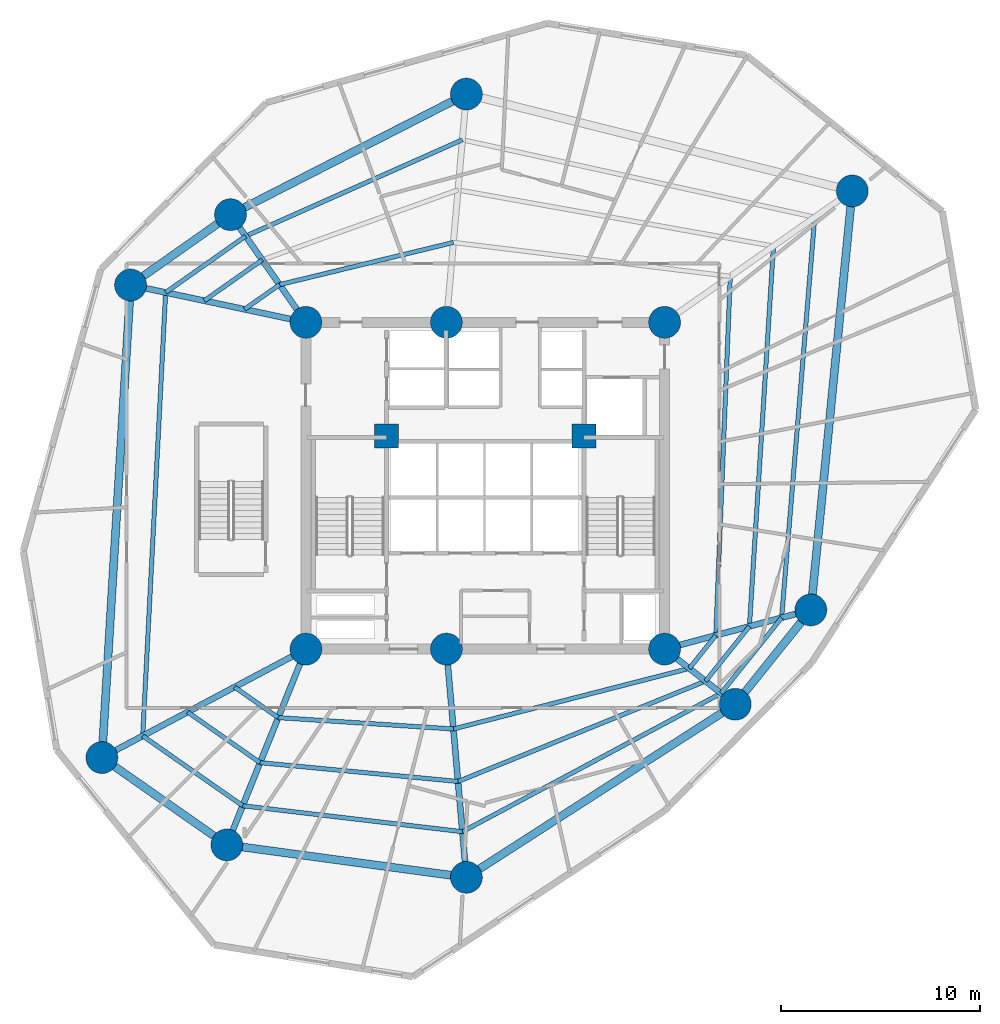
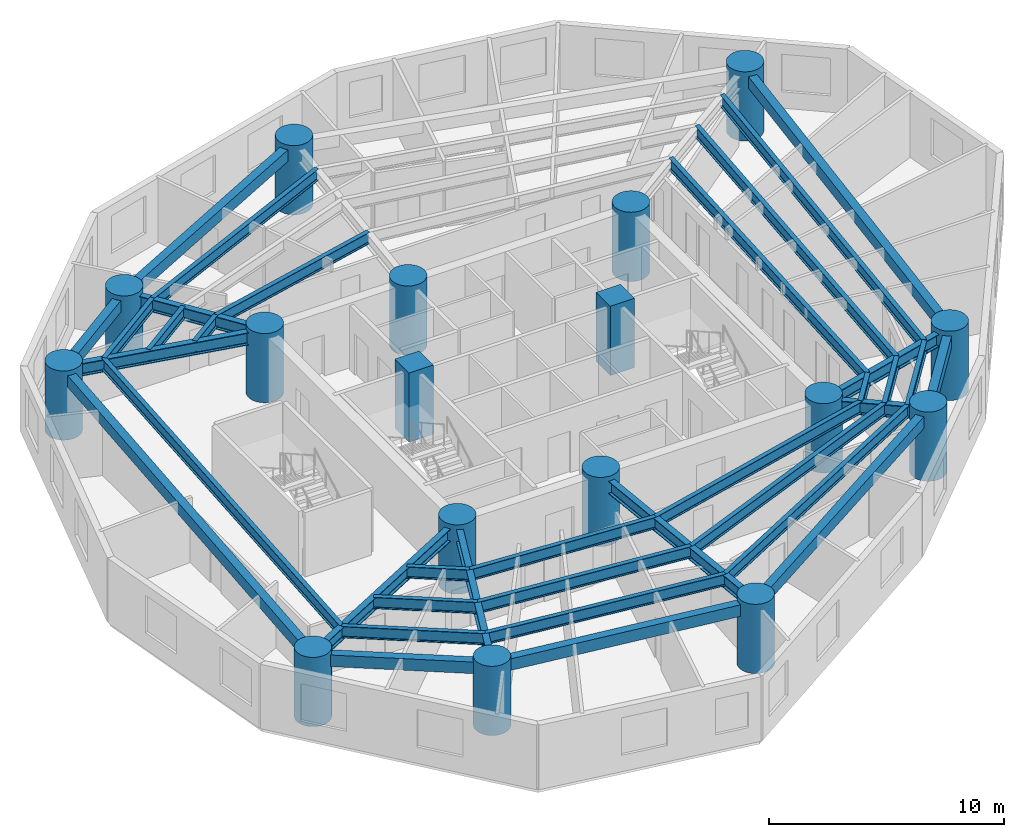
# One storey, part 1 of 8: 36 beams, 17 columns.
"""IFC4 building model written with IfcOpenShell, lengths in metres."""

from ifc_helpers import new_model, si_unit, direction, frame, origin, origin_with_axes, origin_2d, place, context, subcontext, project, spatial, rectangle, circle, i_section, extrude, source, transform, mapped, material, material_profile, profile_set, type_object, element, save


model = new_model("IFC4")

# Units and contexts
model_context = context("Model", 3, precision=1e-05, world=origin(), true_north=direction((0.0, 1.0)))
body_context = subcontext(model_context, "Body", "Model", "MODEL_VIEW")
ifc_project = project(units=[si_unit("LENGTHUNIT", "METRE"), si_unit("AREAUNIT", "SQUARE_METRE"), si_unit("VOLUMEUNIT", "CUBIC_METRE"), si_unit("PLANEANGLEUNIT", "RADIAN"), si_unit("MASSUNIT", "GRAM", prefix="KILO")], contexts=[model_context])

# Site, building, storey
site_placement = place(None, origin())
site = spatial("IfcSite", under=ifc_project, at=site_placement, CompositionType="ELEMENT")
building_placement = place(site_placement, origin())
building = spatial("IfcBuilding", under=site, at=building_placement, Name="Karkom Vertical University and Central Library", CompositionType="ELEMENT")
storey_placement = place(building_placement, frame((0.0, 0.0, 73.300048828125)))
storey = spatial("IfcBuildingStorey", under=building, at=storey_placement, Name="L19", CompositionType="ELEMENT", Elevation=73.300048828125)

# Columns
ifc_material_1 = material(Name="Concrete C50/60", Category="concrete")
ifc_material_profile_1 = material_profile(ifc_material_1, circle(Radius=0.800048828125, at=origin_2d()), Name="CFT-D1600")
ifc_profile_set_1 = profile_set([ifc_material_profile_1], Name="Concrete C50/60")
column_type_1 = type_object("IfcColumnType", Name="STR-COL-C-SC2", PredefinedType="COLUMN", material=ifc_profile_set_1)
shared_shape_1 = source(origin_with_axes(), body_context, "Body", "SweptSolid", [
    extrude(circle(Radius=0.800048828125, at=origin_2d()), origin(), (0.0, 0.0, 1.0), 3.599853515625),
])
for number, where, z_axis, x_axis, name in (
    (1, (19.5, 18.300048828125, 0.0), (0.0, 0.0, 1.0), (1.0, 0.0, 0.0), "Level 19 Spine Mega-Column SC-1"),
    (2, (26.550048828125, 18.300048828125, 0.0), (0.0, 0.0, 1.0), (1.0, 0.0, 0.0), "Level 19 Spine Mega-Column SC-2"),
    (3, (37.5, 18.300048828125, 0.0), (0.0, 0.0, 1.0), (1.0, 0.0, 0.0), "Level 19 Spine Mega-Column SC-3"),
    (4, (19.5, 34.699951171875, 0.0), (0.0, 0.0, 1.0), (1.0, 0.0, 0.0), "Level 19 Spine Mega-Column SC-4"),
    (5, (26.550048828125, 34.699951171875, 0.0), (0.0, 0.0, 1.0), (1.0, 0.0, 0.0), "Level 19 Spine Mega-Column SC-5"),
    (6, (37.5, 34.699951171875, 0.0), (0.0, 0.0, 1.0), (1.0, 0.0, 0.0), "Level 19 Spine Mega-Column SC-6"),
    (7, (44.841064453125, 20.26708984375, 0.0), (0.0, 0.0, 1.0), (1.0, 0.0, 0.0), "Level 19 Perimeter Mega-Column Z1-PC1"),
    (8, (46.919921875, 41.2958984375, 0.0), (0.0, 0.0, 1.0), (1.0, 0.0, 0.0), "Level 19 Perimeter Mega-Column Z1-PC2"),
    (9, (27.552001953125, 46.156005859375, 0.0), (0.0, 0.0, 1.0), (1.0, 0.0, 0.0), "Level 19 Perimeter Mega-Column Z1-PC3"),
    (10, (15.714111328125, 40.10595703125, 0.0), (0.0, 0.0, 1.0), (1.0, 0.0, 0.0), "Level 19 Perimeter Mega-Column Z1-PC4"),
    (11, (10.697021484375, 36.571044921875, 0.0), (0.0, 0.0, 1.0), (1.0, 0.0, 0.0), "Level 19 Perimeter Mega-Column Z1-PC5"),
    (12, (9.258056640625, 12.85400390625, 0.0), (0.0, 0.0, 1.0), (1.0, 0.0, 0.0), "Level 19 Perimeter Mega-Column Z1-PC6"),
    (13, (15.529052734375, 8.471923828125, 0.0), (0.0, 0.0, 1.0), (1.0, 0.0, 0.0), "Level 19 Perimeter Mega-Column Z1-PC7"),
    (14, (27.552001953125, 6.843994140625, 0.0), (0.0, 0.0, 1.0), (1.0, 0.0, 0.0), "Level 19 Perimeter Mega-Column Z1-PC8"),
    (15, (41.0458984375, 15.530029296875, 0.0), (0.0, 0.0, 1.0), (1.0, 0.0, 0.0), "Level 19 Perimeter Mega-Column Z1-PC9"),
):
    element("IfcColumn", number, at=place(storey_placement, frame(where, z_axis=z_axis, x_axis=x_axis)), inside=storey, type_object=column_type_1, Name=name, PredefinedType="COLUMN", context=body_context, shape_type="MappedRepresentation", body=[
        mapped(shared_shape_1, transform((0.0, 0.0, 0.0), scale=1.0)),
    ])
ifc_material_profile_2 = material_profile(ifc_material_1, rectangle(XDim=1.199951171875, YDim=1.199951171875, at=origin_2d()), Name="RC-1200x1200")
ifc_profile_set_2 = profile_set([ifc_material_profile_2], Name="Concrete C50/60")
column_type_2 = type_object("IfcColumnType", Name="STR-COL-C-CC1", PredefinedType="COLUMN", material=ifc_profile_set_2)
shared_shape_2 = source(origin_with_axes(), body_context, "Body", "SweptSolid", [
    extrude(rectangle(XDim=1.199951171875, YDim=1.199951171875, at=origin_2d()), origin(), (0.0, 0.0, 1.0), 3.599853515625),
])
for number, where, z_axis, x_axis, name in (
    (16, (23.550048828125, 29.0, 0.0), (0.0, 0.0, 1.0), (1.0, 0.0, 0.0), "Level 19 Core Node Column CC-1"),
    (17, (33.449951171875, 29.0, 0.0), (0.0, 0.0, 1.0), (1.0, 0.0, 0.0), "Level 19 Core Node Column CC-2"),
):
    element("IfcColumn", number, at=place(storey_placement, frame(where, z_axis=z_axis, x_axis=x_axis)), inside=storey, type_object=column_type_2, Name=name, PredefinedType="COLUMN", context=body_context, shape_type="MappedRepresentation", body=[
        mapped(shared_shape_2, transform((0.0, 0.0, 0.0), scale=1.0)),
    ])

# Beams
ifc_material_2 = material(Name="Steel S355", Category="steel")
ifc_material_profile_3 = material_profile(ifc_material_2, i_section(OverallWidth=0.300048828125, OverallDepth=0.64990234375, WebThickness=0.01611328125, FlangeThickness=0.031005859375, FilletRadius=0.027099609375, at=origin_2d()), Name="HE 650 B")
ifc_profile_set_3 = profile_set([ifc_material_profile_3], Name="Steel S355")
beam_type_1 = type_object("IfcBeamType", Name="STR-BM-SB-HE650", PredefinedType="USERDEFINED", material=ifc_profile_set_3)
shared_shape_3 = source(origin_with_axes(), body_context, "Body", "SweptSolid", [
    extrude(i_section(OverallWidth=0.300048828125, OverallDepth=0.64990234375, WebThickness=0.01611328125, FlangeThickness=0.031005859375, FilletRadius=0.027099609375, at=origin_2d()), origin(), (0.0, 0.0, 1.0), 7.60009765625),
])
beam_1_placement = place(storey_placement, frame((37.5, 18.300048828125, 3.02490234375), z_axis=(0.965925539322, 0.258820116077, 0.0), x_axis=(-0.258820116077, 0.965925539322, 0.0)))
element("IfcBeam", 18, at=beam_1_placement, inside=storey, type_object=beam_type_1, Name="Level 19 Radial Frame Girder 01", ObjectType="GIRDER", PredefinedType="USERDEFINED", context=body_context, shape_type="MappedRepresentation", body=[
    mapped(shared_shape_3, transform((0.0, 0.0, 0.0), scale=1.0)),
])
shared_shape_4 = source(origin_with_axes(), body_context, "Body", "SweptSolid", [
    extrude(i_section(OverallWidth=0.300048828125, OverallDepth=0.64990234375, WebThickness=0.01611328125, FlangeThickness=0.031005859375, FilletRadius=0.027099609375, at=origin_2d()), origin(), (0.0, 0.0, 1.0), 11.499755859375),
])
beam_2_placement = place(storey_placement, frame((26.550048828125, 18.300048828125, 3.02490234375), z_axis=(0.087127973109, -0.99619712723, 0.0), x_axis=(0.99619712723, 0.087127973109, 0.0)))
element("IfcBeam", 19, at=beam_2_placement, inside=storey, type_object=beam_type_1, Name="Level 19 Radial Frame Girder 08", ObjectType="GIRDER", PredefinedType="USERDEFINED", context=body_context, shape_type="MappedRepresentation", body=[
    mapped(shared_shape_4, transform((0.0, 0.0, 0.0), scale=1.0)),
])
shared_shape_5 = source(origin_with_axes(), body_context, "Body", "SweptSolid", [
    extrude(i_section(OverallWidth=0.300048828125, OverallDepth=0.64990234375, WebThickness=0.01611328125, FlangeThickness=0.031005859375, FilletRadius=0.027099609375, at=origin_2d()), origin(), (0.0, 0.0, 1.0), 6.599853515625),
])
beam_3_placement = place(storey_placement, frame((19.5, 34.699951171875, 3.02490234375), z_axis=(-0.573633636671, 0.819111989218, 0.0), x_axis=(-0.819111989218, -0.573633636671, 0.0)))
element("IfcBeam", 20, at=beam_3_placement, inside=storey, type_object=beam_type_1, Name="Level 19 Radial Frame Girder 04", ObjectType="GIRDER", PredefinedType="USERDEFINED", context=body_context, shape_type="MappedRepresentation", body=[
    mapped(shared_shape_5, transform((0.0, 0.0, 0.0), scale=1.0)),
])
shared_shape_6 = source(origin_with_axes(), body_context, "Body", "SweptSolid", [
    extrude(i_section(OverallWidth=0.300048828125, OverallDepth=0.64990234375, WebThickness=0.01611328125, FlangeThickness=0.031005859375, FilletRadius=0.027099609375, at=origin_2d()), origin(), (0.0, 0.0, 1.0), 8.999755859375),
])
beam_4_placement = place(storey_placement, frame((19.5, 34.699951171875, 3.02490234375), z_axis=(-0.978148438993, 0.207907747079, 0.0), x_axis=(-0.207907747079, -0.978148438993, 0.0)))
element("IfcBeam", 21, at=beam_4_placement, inside=storey, type_object=beam_type_1, Name="Level 19 Radial Frame Girder 05", ObjectType="GIRDER", PredefinedType="USERDEFINED", context=body_context, shape_type="MappedRepresentation", body=[
    mapped(shared_shape_6, transform((0.0, 0.0, 0.0), scale=1.0)),
])
shared_shape_7 = source(origin_with_axes(), body_context, "Body", "SweptSolid", [
    extrude(i_section(OverallWidth=0.300048828125, OverallDepth=0.64990234375, WebThickness=0.01611328125, FlangeThickness=0.031005859375, FilletRadius=0.027099609375, at=origin_2d()), origin(), (0.0, 0.0, 1.0), 11.599853515625),
])
beam_5_placement = place(storey_placement, frame((19.5, 18.300048828125, 3.02490234375), z_axis=(-0.882936620635, -0.469492197957, 0.0), x_axis=(0.469492197957, -0.882936620635, 0.0)))
element("IfcBeam", 22, at=beam_5_placement, inside=storey, type_object=beam_type_1, Name="Level 19 Radial Frame Girder 06", ObjectType="GIRDER", PredefinedType="USERDEFINED", context=body_context, shape_type="MappedRepresentation", body=[
    mapped(shared_shape_7, transform((0.0, 0.0, 0.0), scale=1.0)),
])
shared_shape_8 = source(origin_with_axes(), body_context, "Body", "SweptSolid", [
    extrude(i_section(OverallWidth=0.300048828125, OverallDepth=0.64990234375, WebThickness=0.01611328125, FlangeThickness=0.031005859375, FilletRadius=0.027099609375, at=origin_2d()), origin(), (0.0, 0.0, 1.0), 10.60009765625),
])
beam_6_placement = place(storey_placement, frame((19.5, 18.300048828125, 3.02490234375), z_axis=(-0.374616894394, -0.927179692635, 0.0), x_axis=(0.927179692635, -0.374616894394, 0.0)))
element("IfcBeam", 23, at=beam_6_placement, inside=storey, type_object=beam_type_1, Name="Level 19 Radial Frame Girder 07", ObjectType="GIRDER", PredefinedType="USERDEFINED", context=body_context, shape_type="MappedRepresentation", body=[
    mapped(shared_shape_8, transform((0.0, 0.0, 0.0), scale=1.0)),
])
shared_shape_9 = source(origin_with_axes(), body_context, "Body", "SweptSolid", [
    extrude(i_section(OverallWidth=0.300048828125, OverallDepth=0.64990234375, WebThickness=0.01611328125, FlangeThickness=0.031005859375, FilletRadius=0.027099609375, at=origin_2d()), origin(), (0.0, 0.0, 1.0), 4.49951171875),
])
beam_7_placement = place(storey_placement, frame((37.5, 18.300048828125, 3.02490234375), z_axis=(0.788047405801, -0.615614559778, 0.0), x_axis=(0.615614559778, 0.788047405801, 0.0)))
element("IfcBeam", 24, at=beam_7_placement, inside=storey, type_object=beam_type_1, Name="Level 19 Radial Frame Girder 09", ObjectType="GIRDER", PredefinedType="USERDEFINED", context=body_context, shape_type="MappedRepresentation", body=[
    mapped(shared_shape_9, transform((0.0, 0.0, 0.0), scale=1.0)),
])
ifc_material_3 = material(Name="Precast concrete C45/55", Category="concrete")
ifc_material_profile_4 = material_profile(ifc_material_3, rectangle(XDim=0.39990234375, YDim=0.60009765625, at=origin_2d()), Name="SPB-400x600")
ifc_profile_set_4 = profile_set([ifc_material_profile_4], Name="Precast concrete C45/55")
beam_type_2 = type_object("IfcBeamType", Name="STR-BM-SP-1", PredefinedType="SPANDREL", material=ifc_profile_set_4)
shared_shape_10 = source(origin_with_axes(), body_context, "Body", "SweptSolid", [
    extrude(rectangle(XDim=0.39990234375, YDim=0.60009765625, at=origin_2d()), origin(), (0.0, 0.0, 1.0), 21.13134765625),
])
beam_8_placement = place(storey_placement, frame((44.841064453125, 20.26708984375, 3.050048828125), z_axis=(0.0983780471, 0.995149114379, 0.0), x_axis=(-0.995149114379, 0.0983780471, 0.0)))
element("IfcBeam", 25, at=beam_8_placement, inside=storey, type_object=beam_type_2, Name="Level 19 Perimeter Spandrel Beam 01", PredefinedType="SPANDREL", context=body_context, shape_type="MappedRepresentation", body=[
    mapped(shared_shape_10, transform((0.0, 0.0, 0.0), scale=1.0)),
])
shared_shape_11 = source(origin_with_axes(), body_context, "Body", "SweptSolid", [
    extrude(rectangle(XDim=0.39990234375, YDim=0.60009765625, at=origin_2d()), origin(), (0.0, 0.0, 1.0), 13.29443359375),
])
beam_9_placement = place(storey_placement, frame((27.552001953125, 46.156005859375, 3.050048828125), z_axis=(-0.890447746793, -0.455085497716, 0.0), x_axis=(0.455085497716, -0.890447746793, 0.0)))
element("IfcBeam", 26, at=beam_9_placement, inside=storey, type_object=beam_type_2, Name="Level 19 Perimeter Spandrel Beam 03", PredefinedType="SPANDREL", context=body_context, shape_type="MappedRepresentation", body=[
    mapped(shared_shape_11, transform((0.0, 0.0, 0.0), scale=1.0)),
])
shared_shape_12 = source(origin_with_axes(), body_context, "Body", "SweptSolid", [
    extrude(rectangle(XDim=0.39990234375, YDim=0.60009765625, at=origin_2d()), origin(), (0.0, 0.0, 1.0), 6.13720703125),
])
beam_10_placement = place(storey_placement, frame((15.714111328125, 40.10595703125, 3.050048828125), z_axis=(-0.817471365538, -0.575969240955, 0.0), x_axis=(0.575969240955, -0.817471365538, 0.0)))
element("IfcBeam", 27, at=beam_10_placement, inside=storey, type_object=beam_type_2, Name="Level 19 Perimeter Spandrel Beam 04", PredefinedType="SPANDREL", context=body_context, shape_type="MappedRepresentation", body=[
    mapped(shared_shape_12, transform((0.0, 0.0, 0.0), scale=1.0)),
])
shared_shape_13 = source(origin_with_axes(), body_context, "Body", "SweptSolid", [
    extrude(rectangle(XDim=0.39990234375, YDim=0.60009765625, at=origin_2d()), origin(), (0.0, 0.0, 1.0), 23.7607421875),
])
beam_11_placement = place(storey_placement, frame((10.697021484375, 36.571044921875, 3.050048828125), z_axis=(-0.060560827767, -0.998164508556, 0.0), x_axis=(0.998164508556, -0.060560827767, 0.0)))
element("IfcBeam", 28, at=beam_11_placement, inside=storey, type_object=beam_type_2, Name="Level 19 Perimeter Spandrel Beam 05", PredefinedType="SPANDREL", context=body_context, shape_type="MappedRepresentation", body=[
    mapped(shared_shape_13, transform((0.0, 0.0, 0.0), scale=1.0)),
])
shared_shape_14 = source(origin_with_axes(), body_context, "Body", "SweptSolid", [
    extrude(rectangle(XDim=0.39990234375, YDim=0.60009765625, at=origin_2d()), origin(), (0.0, 0.0, 1.0), 7.650390625),
])
beam_12_placement = place(storey_placement, frame((9.258056640625, 12.85400390625, 3.050048828125), z_axis=(0.819699409527, -0.572793922822, 0.0), x_axis=(0.572793922822, 0.819699409527, 0.0)))
element("IfcBeam", 29, at=beam_12_placement, inside=storey, type_object=beam_type_2, Name="Level 19 Perimeter Spandrel Beam 06", PredefinedType="SPANDREL", context=body_context, shape_type="MappedRepresentation", body=[
    mapped(shared_shape_14, transform((0.0, 0.0, 0.0), scale=1.0)),
])
shared_shape_15 = source(origin_with_axes(), body_context, "Body", "SweptSolid", [
    extrude(rectangle(XDim=0.39990234375, YDim=0.60009765625, at=origin_2d()), origin(), (0.0, 0.0, 1.0), 12.132568359375),
])
beam_13_placement = place(storey_placement, frame((15.529052734375, 8.471923828125, 3.050048828125), z_axis=(0.990957319008, -0.134177464223, 0.0), x_axis=(0.134177464223, 0.990957319008, 0.0)))
element("IfcBeam", 30, at=beam_13_placement, inside=storey, type_object=beam_type_2, Name="Level 19 Perimeter Spandrel Beam 07", PredefinedType="SPANDREL", context=body_context, shape_type="MappedRepresentation", body=[
    mapped(shared_shape_15, transform((0.0, 0.0, 0.0), scale=1.0)),
])
shared_shape_16 = source(origin_with_axes(), body_context, "Body", "SweptSolid", [
    extrude(rectangle(XDim=0.39990234375, YDim=0.60009765625, at=origin_2d()), origin(), (0.0, 0.0, 1.0), 16.0478515625),
])
beam_14_placement = place(storey_placement, frame((27.552001953125, 6.843994140625, 3.050048828125), z_axis=(0.84085555045, 0.541259589548, 0.0), x_axis=(-0.541259589548, 0.84085555045, 0.0)))
element("IfcBeam", 31, at=beam_14_placement, inside=storey, type_object=beam_type_2, Name="Level 19 Perimeter Spandrel Beam 08", PredefinedType="SPANDREL", context=body_context, shape_type="MappedRepresentation", body=[
    mapped(shared_shape_16, transform((0.0, 0.0, 0.0), scale=1.0)),
])
shared_shape_17 = source(origin_with_axes(), body_context, "Body", "SweptSolid", [
    extrude(rectangle(XDim=0.39990234375, YDim=0.60009765625, at=origin_2d()), origin(), (0.0, 0.0, 1.0), 6.06982421875),
])
beam_15_placement = place(storey_placement, frame((41.0458984375, 15.530029296875, 3.050048828125), z_axis=(0.625249167344, 0.780425190992, 0.0), x_axis=(-0.780425190992, 0.625249167344, 0.0)))
element("IfcBeam", 32, at=beam_15_placement, inside=storey, type_object=beam_type_2, Name="Level 19 Perimeter Spandrel Beam 09", PredefinedType="SPANDREL", context=body_context, shape_type="MappedRepresentation", body=[
    mapped(shared_shape_17, transform((0.0, 0.0, 0.0), scale=1.0)),
])
ifc_material_profile_5 = material_profile(ifc_material_2, i_section(OverallWidth=0.219970703125, OverallDepth=0.60009765625, WebThickness=0.011962890625, FlangeThickness=0.01904296875, FilletRadius=0.02392578125, at=origin_2d()), Name="IPE 600")
ifc_profile_set_5 = profile_set([ifc_material_profile_5], Name="Steel S355")
beam_type_3 = type_object("IfcBeamType", Name="STR-BM-SB-IPE600", PredefinedType="BEAM", material=ifc_profile_set_5)
shared_shape_18 = source(origin_with_axes(), body_context, "Body", "SweptSolid", [
    extrude(i_section(OverallWidth=0.219970703125, OverallDepth=0.60009765625, WebThickness=0.011962890625, FlangeThickness=0.01904296875, FilletRadius=0.02392578125, at=origin_2d()), origin(), (0.0, 0.0, 1.0), 18.03466796875),
])
beam_16_placement = place(storey_placement, frame((40.0693359375, 18.988525390625, 3.050048828125), z_axis=(0.04035458262, 0.999185422062, 0.0), x_axis=(-0.999185422062, 0.04035458262, 0.0)))
element("IfcBeam", 33, at=beam_16_placement, inside=storey, type_object=beam_type_3, Name="Level 19 Secondary Composite Floor Beam 1.01", PredefinedType="BEAM", context=body_context, shape_type="MappedRepresentation", body=[
    mapped(shared_shape_18, transform((0.0, 0.0, 0.0), scale=1.0)),
])
shared_shape_19 = source(origin_with_axes(), body_context, "Body", "SweptSolid", [
    extrude(i_section(OverallWidth=0.219970703125, OverallDepth=0.60009765625, WebThickness=0.011962890625, FlangeThickness=0.01904296875, FilletRadius=0.02392578125, at=origin_2d()), origin(), (0.0, 0.0, 1.0), 8.97900390625),
])
beam_17_placement = place(storey_placement, frame((26.900634765625, 38.709716796875, 3.050048828125), z_axis=(-0.971790837509, -0.235844372697, 0.0), x_axis=(0.235844372697, -0.971790837509, 0.0)))
element("IfcBeam", 34, at=beam_17_placement, inside=storey, type_object=beam_type_3, Name="Level 19 Secondary Composite Floor Beam 1.03", PredefinedType="BEAM", context=body_context, shape_type="MappedRepresentation", body=[
    mapped(shared_shape_19, transform((0.0, 0.0, 0.0), scale=1.0)),
])
shared_shape_20 = source(origin_with_axes(), body_context, "Body", "SweptSolid", [
    extrude(i_section(OverallWidth=0.219970703125, OverallDepth=0.60009765625, WebThickness=0.011962890625, FlangeThickness=0.01904296875, FilletRadius=0.02392578125, at=origin_2d()), origin(), (0.0, 0.0, 1.0), 2.14794921875),
])
beam_18_placement = place(storey_placement, frame((18.1748046875, 36.592041015625, 3.050048828125), z_axis=(-0.817433780971, -0.576022580918, 0.0), x_axis=(0.576022580918, -0.817433780971, 0.0)))
element("IfcBeam", 35, at=beam_18_placement, inside=storey, type_object=beam_type_3, Name="Level 19 Secondary Composite Floor Beam 1.04", PredefinedType="BEAM", context=body_context, shape_type="MappedRepresentation", body=[
    mapped(shared_shape_20, transform((0.0, 0.0, 0.0), scale=1.0)),
])
shared_shape_21 = source(origin_with_axes(), body_context, "Body", "SweptSolid", [
    extrude(i_section(OverallWidth=0.219970703125, OverallDepth=0.60009765625, WebThickness=0.011962890625, FlangeThickness=0.01904296875, FilletRadius=0.02392578125, at=origin_2d()), origin(), (0.0, 0.0, 1.0), 2.677490234375),
])
beam_19_placement = place(storey_placement, frame((15.915283203125, 16.393798828125, 3.050048828125), z_axis=(0.819702839548, -0.572789014243, 0.0), x_axis=(0.572789014243, 0.819702839548, 0.0)))
element("IfcBeam", 36, at=beam_19_placement, inside=storey, type_object=beam_type_3, Name="Level 19 Secondary Composite Floor Beam 1.06", PredefinedType="BEAM", context=body_context, shape_type="MappedRepresentation", body=[
    mapped(shared_shape_21, transform((0.0, 0.0, 0.0), scale=1.0)),
])
shared_shape_22 = source(origin_with_axes(), body_context, "Body", "SweptSolid", [
    extrude(i_section(OverallWidth=0.219970703125, OverallDepth=0.60009765625, WebThickness=0.011962890625, FlangeThickness=0.01904296875, FilletRadius=0.02392578125, at=origin_2d()), origin(), (0.0, 0.0, 1.0), 8.80908203125),
])
beam_20_placement = place(storey_placement, frame((18.110107421875, 14.860107421875, 3.050048828125), z_axis=(0.997905617906, -0.064686766433, 0.0), x_axis=(0.064686766433, 0.997905617906, 0.0)))
element("IfcBeam", 37, at=beam_20_placement, inside=storey, type_object=beam_type_3, Name="Level 19 Secondary Composite Floor Beam 1.07", PredefinedType="BEAM", context=body_context, shape_type="MappedRepresentation", body=[
    mapped(shared_shape_22, transform((0.0, 0.0, 0.0), scale=1.0)),
])
shared_shape_23 = source(origin_with_axes(), body_context, "Body", "SweptSolid", [
    extrude(i_section(OverallWidth=0.219970703125, OverallDepth=0.60009765625, WebThickness=0.011962890625, FlangeThickness=0.01904296875, FilletRadius=0.02392578125, at=origin_2d()), origin(), (0.0, 0.0, 1.0), 12.224609375),
])
beam_21_placement = place(storey_placement, frame((26.900634765625, 14.290283203125, 3.050048828125), z_axis=(0.968580403264, 0.248700628092, 0.0), x_axis=(-0.248700628092, 0.968580403264, 0.0)))
element("IfcBeam", 38, at=beam_21_placement, inside=storey, type_object=beam_type_3, Name="Level 19 Secondary Composite Floor Beam 1.08", PredefinedType="BEAM", context=body_context, shape_type="MappedRepresentation", body=[
    mapped(shared_shape_23, transform((0.0, 0.0, 0.0), scale=1.0)),
])
shared_shape_24 = source(origin_with_axes(), body_context, "Body", "SweptSolid", [
    extrude(i_section(OverallWidth=0.219970703125, OverallDepth=0.60009765625, WebThickness=0.011962890625, FlangeThickness=0.01904296875, FilletRadius=0.02392578125, at=origin_2d()), origin(), (0.0, 0.0, 1.0), 2.124267578125),
])
beam_22_placement = place(storey_placement, frame((38.7412109375, 17.33056640625, 3.050048828125), z_axis=(0.625199471959, 0.780465002587, 0.0), x_axis=(-0.780465002587, 0.625199471959, 0.0)))
element("IfcBeam", 39, at=beam_22_placement, inside=storey, type_object=beam_type_3, Name="Level 19 Secondary Composite Floor Beam 1.09", PredefinedType="BEAM", context=body_context, shape_type="MappedRepresentation", body=[
    mapped(shared_shape_24, transform((0.0, 0.0, 0.0), scale=1.0)),
])
shared_shape_25 = source(origin_with_axes(), body_context, "Body", "SweptSolid", [
    extrude(i_section(OverallWidth=0.219970703125, OverallDepth=0.60009765625, WebThickness=0.011962890625, FlangeThickness=0.01904296875, FilletRadius=0.02392578125, at=origin_2d()), origin(), (0.0, 0.0, 1.0), 19.122802734375),
])
beam_23_placement = place(storey_placement, frame((41.7578125, 19.44091796875, 3.050048828125), z_axis=(0.063056264597, 0.998009973645, 0.0), x_axis=(-0.998009973645, 0.063056264597, 0.0)))
element("IfcBeam", 40, at=beam_23_placement, inside=storey, type_object=beam_type_3, Name="Level 19 Secondary Composite Floor Beam 2.01", PredefinedType="BEAM", context=body_context, shape_type="MappedRepresentation", body=[
    mapped(shared_shape_25, transform((0.0, 0.0, 0.0), scale=1.0)),
])
shared_shape_26 = source(origin_with_axes(), body_context, "Body", "SweptSolid", [
    extrude(i_section(OverallWidth=0.219970703125, OverallDepth=0.60009765625, WebThickness=0.011962890625, FlangeThickness=0.01904296875, FilletRadius=0.02392578125, at=origin_2d()), origin(), (0.0, 0.0, 1.0), 3.5595703125),
])
beam_24_placement = place(storey_placement, frame((17.30419921875, 37.83544921875, 3.050048828125), z_axis=(-0.817465552849, -0.575977490798, 0.0), x_axis=(0.575977490798, -0.817465552849, 0.0)))
element("IfcBeam", 41, at=beam_24_placement, inside=storey, type_object=beam_type_3, Name="Level 19 Secondary Composite Floor Beam 2.04", PredefinedType="BEAM", context=body_context, shape_type="MappedRepresentation", body=[
    mapped(shared_shape_26, transform((0.0, 0.0, 0.0), scale=1.0)),
])
shared_shape_27 = source(origin_with_axes(), body_context, "Body", "SweptSolid", [
    extrude(i_section(OverallWidth=0.219970703125, OverallDepth=0.60009765625, WebThickness=0.011962890625, FlangeThickness=0.01904296875, FilletRadius=0.02392578125, at=origin_2d()), origin(), (0.0, 0.0, 1.0), 4.437255859375),
])
beam_25_placement = place(storey_placement, frame((13.5595703125, 15.141357421875, 3.050048828125), z_axis=(0.819712425733, -0.572775295468, 0.0), x_axis=(0.572775295468, 0.819712425733, 0.0)))
element("IfcBeam", 42, at=beam_25_placement, inside=storey, type_object=beam_type_3, Name="Level 19 Secondary Composite Floor Beam 2.06", PredefinedType="BEAM", context=body_context, shape_type="MappedRepresentation", body=[
    mapped(shared_shape_27, transform((0.0, 0.0, 0.0), scale=1.0)),
])
shared_shape_28 = source(origin_with_axes(), body_context, "Body", "SweptSolid", [
    extrude(i_section(OverallWidth=0.219970703125, OverallDepth=0.60009765625, WebThickness=0.011962890625, FlangeThickness=0.01904296875, FilletRadius=0.02392578125, at=origin_2d()), origin(), (0.0, 0.0, 1.0), 9.97900390625),
])
beam_26_placement = place(storey_placement, frame((17.19677734375, 12.599853515625, 3.050048828125), z_axis=(0.995512389915, -0.094631292526, 0.0), x_axis=(0.094631292526, 0.995512389915, 0.0)))
element("IfcBeam", 43, at=beam_26_placement, inside=storey, type_object=beam_type_3, Name="Level 19 Secondary Composite Floor Beam 2.07", PredefinedType="BEAM", context=body_context, shape_type="MappedRepresentation", body=[
    mapped(shared_shape_28, transform((0.0, 0.0, 0.0), scale=1.0)),
])
shared_shape_29 = source(origin_with_axes(), body_context, "Body", "SweptSolid", [
    extrude(i_section(OverallWidth=0.219970703125, OverallDepth=0.60009765625, WebThickness=0.011962890625, FlangeThickness=0.01904296875, FilletRadius=0.02392578125, at=origin_2d()), origin(), (0.0, 0.0, 1.0), 13.407958984375),
])
beam_27_placement = place(storey_placement, frame((27.131103515625, 11.655517578125, 3.050048828125), z_axis=(0.926727273371, 0.375734694685, 0.0), x_axis=(-0.375734694685, 0.926727273371, 0.0)))
element("IfcBeam", 44, at=beam_27_placement, inside=storey, type_object=beam_type_3, Name="Level 19 Secondary Composite Floor Beam 2.08", PredefinedType="BEAM", context=body_context, shape_type="MappedRepresentation", body=[
    mapped(shared_shape_29, transform((0.0, 0.0, 0.0), scale=1.0)),
])
shared_shape_30 = source(origin_with_axes(), body_context, "Body", "SweptSolid", [
    extrude(i_section(OverallWidth=0.219970703125, OverallDepth=0.60009765625, WebThickness=0.011962890625, FlangeThickness=0.01904296875, FilletRadius=0.02392578125, at=origin_2d()), origin(), (0.0, 0.0, 1.0), 3.5205078125),
])
beam_28_placement = place(storey_placement, frame((39.556640625, 16.693359375, 3.050048828125), z_axis=(0.62523614548, 0.780435623473, 0.0), x_axis=(-0.780435623473, 0.62523614548, 0.0)))
element("IfcBeam", 45, at=beam_28_placement, inside=storey, type_object=beam_type_3, Name="Level 19 Secondary Composite Floor Beam 2.09", PredefinedType="BEAM", context=body_context, shape_type="MappedRepresentation", body=[
    mapped(shared_shape_30, transform((0.0, 0.0, 0.0), scale=1.0)),
])
shared_shape_31 = source(origin_with_axes(), body_context, "Body", "SweptSolid", [
    extrude(i_section(OverallWidth=0.219970703125, OverallDepth=0.60009765625, WebThickness=0.011962890625, FlangeThickness=0.01904296875, FilletRadius=0.02392578125, at=origin_2d()), origin(), (0.0, 0.0, 1.0), 20.171875),
])
beam_29_placement = place(storey_placement, frame((43.372802734375, 19.87353515625, 3.050048828125), z_axis=(0.082445490935, 0.996595575459, 0.0), x_axis=(-0.996595575459, 0.082445490935, 0.0)))
element("IfcBeam", 46, at=beam_29_placement, inside=storey, type_object=beam_type_3, Name="Level 19 Secondary Composite Floor Beam 3.01", PredefinedType="BEAM", context=body_context, shape_type="MappedRepresentation", body=[
    mapped(shared_shape_31, transform((0.0, 0.0, 0.0), scale=1.0)),
])
shared_shape_32 = source(origin_with_axes(), body_context, "Body", "SweptSolid", [
    extrude(i_section(OverallWidth=0.219970703125, OverallDepth=0.60009765625, WebThickness=0.011962890625, FlangeThickness=0.01904296875, FilletRadius=0.02392578125, at=origin_2d()), origin(), (0.0, 0.0, 1.0), 11.908203125),
])
beam_30_placement = place(storey_placement, frame((27.3515625, 43.86474609375, 3.050048828125), z_axis=(-0.913682996781, -0.406427584441, 0.0), x_axis=(0.406427584441, -0.913682996781, 0.0)))
element("IfcBeam", 47, at=beam_30_placement, inside=storey, type_object=beam_type_3, Name="Level 19 Secondary Composite Floor Beam 3.03", PredefinedType="BEAM", context=body_context, shape_type="MappedRepresentation", body=[
    mapped(shared_shape_32, transform((0.0, 0.0, 0.0), scale=1.0)),
])
shared_shape_33 = source(origin_with_axes(), body_context, "Body", "SweptSolid", [
    extrude(i_section(OverallWidth=0.219970703125, OverallDepth=0.60009765625, WebThickness=0.011962890625, FlangeThickness=0.01904296875, FilletRadius=0.02392578125, at=origin_2d()), origin(), (0.0, 0.0, 1.0), 4.909912109375),
])
beam_31_placement = place(storey_placement, frame((16.47119140625, 39.02490234375, 3.050048828125), z_axis=(-0.817452635759, -0.575995823153, 0.0), x_axis=(0.575995823153, -0.817452635759, 0.0)))
element("IfcBeam", 48, at=beam_31_placement, inside=storey, type_object=beam_type_3, Name="Level 19 Secondary Composite Floor Beam 3.04", PredefinedType="BEAM", context=body_context, shape_type="MappedRepresentation", body=[
    mapped(shared_shape_33, transform((0.0, 0.0, 0.0), scale=1.0)),
])
shared_shape_34 = source(origin_with_axes(), body_context, "Body", "SweptSolid", [
    extrude(i_section(OverallWidth=0.219970703125, OverallDepth=0.60009765625, WebThickness=0.011962890625, FlangeThickness=0.01904296875, FilletRadius=0.02392578125, at=origin_2d()), origin(), (0.0, 0.0, 1.0), 22.283447265625),
])
beam_32_placement = place(storey_placement, frame((12.45751953125, 36.19677734375, 3.050048828125), z_axis=(-0.051658288147, -0.998664819279, 0.0), x_axis=(0.998664819279, -0.051658288147, 0.0)))
element("IfcBeam", 49, at=beam_32_placement, inside=storey, type_object=beam_type_3, Name="Level 19 Secondary Composite Floor Beam 3.05", PredefinedType="BEAM", context=body_context, shape_type="MappedRepresentation", body=[
    mapped(shared_shape_34, transform((0.0, 0.0, 0.0), scale=1.0)),
])
shared_shape_35 = source(origin_with_axes(), body_context, "Body", "SweptSolid", [
    extrude(i_section(OverallWidth=0.219970703125, OverallDepth=0.60009765625, WebThickness=0.011962890625, FlangeThickness=0.01904296875, FilletRadius=0.02392578125, at=origin_2d()), origin(), (0.0, 0.0, 1.0), 6.120361328125),
])
beam_33_placement = place(storey_placement, frame((11.306396484375, 13.943115234375, 3.050048828125), z_axis=(0.81970577287, -0.572784816422, 0.0), x_axis=(0.572784816422, 0.81970577287, 0.0)))
element("IfcBeam", 50, at=beam_33_placement, inside=storey, type_object=beam_type_3, Name="Level 19 Secondary Composite Floor Beam 3.06", PredefinedType="BEAM", context=body_context, shape_type="MappedRepresentation", body=[
    mapped(shared_shape_35, transform((0.0, 0.0, 0.0), scale=1.0)),
])
shared_shape_36 = source(origin_with_axes(), body_context, "Body", "SweptSolid", [
    extrude(i_section(OverallWidth=0.219970703125, OverallDepth=0.60009765625, WebThickness=0.011962890625, FlangeThickness=0.01904296875, FilletRadius=0.02392578125, at=origin_2d()), origin(), (0.0, 0.0, 1.0), 11.10498046875),
])
beam_34_placement = place(storey_placement, frame((16.3232421875, 10.4375, 3.050048828125), z_axis=(0.993100390447, -0.117267278018, 0.0), x_axis=(0.117267278018, 0.993100390447, 0.0)))
element("IfcBeam", 51, at=beam_34_placement, inside=storey, type_object=beam_type_3, Name="Level 19 Secondary Composite Floor Beam 3.07", PredefinedType="BEAM", context=body_context, shape_type="MappedRepresentation", body=[
    mapped(shared_shape_36, transform((0.0, 0.0, 0.0), scale=1.0)),
])
shared_shape_37 = source(origin_with_axes(), body_context, "Body", "SweptSolid", [
    extrude(i_section(OverallWidth=0.219970703125, OverallDepth=0.60009765625, WebThickness=0.011962890625, FlangeThickness=0.01904296875, FilletRadius=0.02392578125, at=origin_2d()), origin(), (0.0, 0.0, 1.0), 14.727783203125),
])
beam_35_placement = place(storey_placement, frame((27.3515625, 9.13525390625, 3.050048828125), z_axis=(0.881697726656, 0.471814708131, 0.0), x_axis=(-0.471814708131, 0.881697726656, 0.0)))
element("IfcBeam", 52, at=beam_35_placement, inside=storey, type_object=beam_type_3, Name="Level 19 Secondary Composite Floor Beam 3.08", PredefinedType="BEAM", context=body_context, shape_type="MappedRepresentation", body=[
    mapped(shared_shape_37, transform((0.0, 0.0, 0.0), scale=1.0)),
])
shared_shape_38 = source(origin_with_axes(), body_context, "Body", "SweptSolid", [
    extrude(i_section(OverallWidth=0.219970703125, OverallDepth=0.60009765625, WebThickness=0.011962890625, FlangeThickness=0.01904296875, FilletRadius=0.02392578125, at=origin_2d()), origin(), (0.0, 0.0, 1.0), 4.855712890625),
])
beam_36_placement = place(storey_placement, frame((40.3369140625, 16.083984375, 3.050048828125), z_axis=(0.62522835738, 0.780441862747, 0.0), x_axis=(-0.780441862747, 0.62522835738, 0.0)))
element("IfcBeam", 53, at=beam_36_placement, inside=storey, type_object=beam_type_3, Name="Level 19 Secondary Composite Floor Beam 3.09", PredefinedType="BEAM", context=body_context, shape_type="MappedRepresentation", body=[
    mapped(shared_shape_38, transform((0.0, 0.0, 0.0), scale=1.0)),
])

save(model, "model.ifc")
